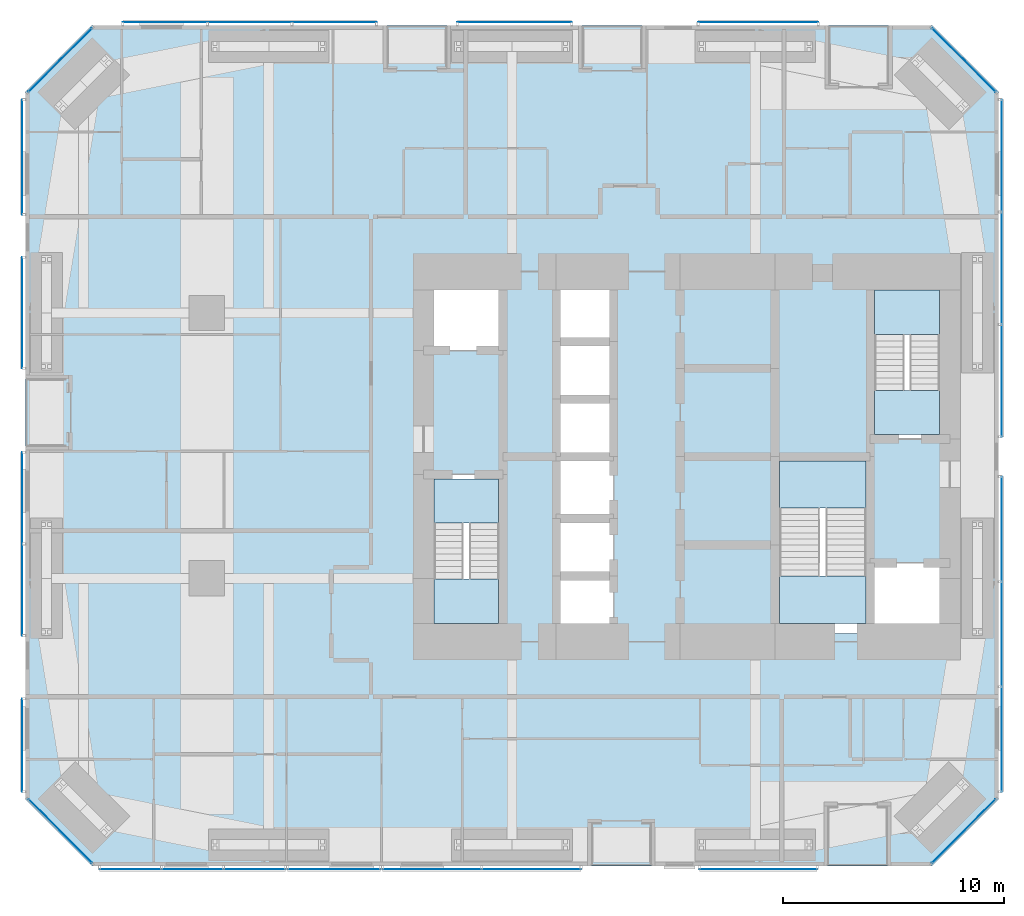
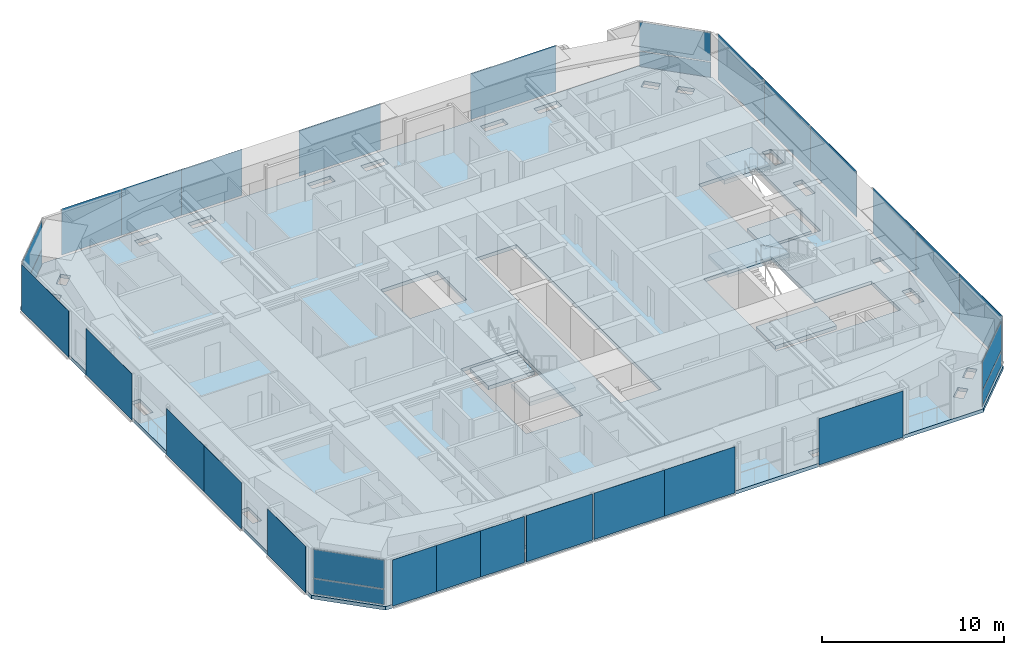
# One storey, part 16 of 24: 31 plates, 7 slabs, 20 elements without a shape of their own.
"""IFC4 building model written with IfcOpenShell, lengths in metres."""

from ifc_helpers import new_model, si_unit, direction, frame, origin, origin_2d, place, context, subcontext, project, spatial, polyline, rectangle, outline, extrude, material, layer, layer_set, type_object, element, aggregate, save


model = new_model("IFC4")

# Units and contexts
model_context = context("Model", 3, precision=1e-05, world=origin(), true_north=direction((0.0, 1.0)))
body_context = subcontext(model_context, "Body", "Model", "MODEL_VIEW")
ifc_project = project(units=[si_unit("LENGTHUNIT", "METRE"), si_unit("AREAUNIT", "SQUARE_METRE"), si_unit("VOLUMEUNIT", "CUBIC_METRE"), si_unit("PLANEANGLEUNIT", "RADIAN"), si_unit("MASSUNIT", "GRAM", prefix="KILO")], contexts=[model_context])

# Site, building, storey
site_placement = place(None, origin())
site = spatial("IfcSite", under=ifc_project, at=site_placement, CompositionType="ELEMENT")
building_placement = place(site_placement, origin())
building = spatial("IfcBuilding", under=site, at=building_placement, Name="Jalousie Tower", CompositionType="ELEMENT")
storey_placement = place(building_placement, frame((0.0, 0.0, 44.449951171875)))
storey = spatial("IfcBuildingStorey", under=building, at=storey_placement, Name="L11", CompositionType="ELEMENT", Elevation=44.449951171875)

# Curtain wall, plates
ifc_material_1 = material(Name="Aluminium curtain wall", Category="aluminium")
curtain_wall_type_1 = type_object("IfcCurtainWallType", Name="CORNER WINDOW WALL", PredefinedType="USERDEFINED", material=ifc_material_1)
curtain_wall_1_placement = place(storey_placement, origin())
curtain_wall_1 = element("IfcCurtainWall", 1, at=curtain_wall_1_placement, inside=storey, type_object=curtain_wall_type_1, Name="Corner Window Wall L11 2", ObjectType="CORNER WINDOW WALL", PredefinedType="USERDEFINED")
ifc_material_2 = material(Name="Laminated impact-rated spandrel glass", Category="glass")
ifc_layer_1 = layer(ifc_material_2, 0.028076171875)
ifc_layer_set_1 = layer_set([ifc_layer_1], Name="Laminated impact-rated spandrel glass")
plate_type_1 = type_object("IfcPlateType", Name="CORNER WINDOW WALL PANEL", PredefinedType="CURTAIN_PANEL", material=ifc_layer_set_1)
plate_1_placement = place(storey_placement, frame((44.4306640625, 1.5693359375, 0.06005859375), z_axis=(0.0, 0.0, 1.0), x_axis=(0.707106781187, 0.707106781187, 0.0)))
plate_1 = element("IfcPlate", 2, at=plate_1_placement, type_object=plate_type_1, Name="CW-C panel 1.1", PredefinedType="CURTAIN_PANEL", context=body_context, shape_type="SweptSolid", body=[
    extrude(rectangle(XDim=4.071533203125, YDim=0.028076171875, at=origin_2d()), origin(), (0.0, 0.0, 1.0), 1.010009765625),
])
plate_2_placement = place(storey_placement, frame((44.4306640625, 1.5693359375, 1.130126953125), z_axis=(0.0, 0.0, 1.0), x_axis=(0.707106781187, 0.707106781187, 0.0)))
plate_2 = element("IfcPlate", 3, at=plate_2_placement, type_object=plate_type_1, Name="CW-C panel 1.2", PredefinedType="CURTAIN_PANEL", context=body_context, shape_type="SweptSolid", body=[
    extrude(rectangle(XDim=4.071533203125, YDim=0.028076171875, at=origin_2d()), origin(), (0.0, 0.0, 1.0), 1.919921875),
])
aggregate(curtain_wall_1, [plate_1, plate_2])

curtain_wall_2_placement = place(storey_placement, origin())
curtain_wall_2 = element("IfcCurtainWall", 4, at=curtain_wall_2_placement, inside=storey, type_object=curtain_wall_type_1, Name="Corner Window Wall L11 4", ObjectType="CORNER WINDOW WALL", PredefinedType="USERDEFINED")
plate_3_placement = place(storey_placement, frame((44.4306640625, 36.4306640625, 0.06005859375), z_axis=(0.0, 0.0, 1.0), x_axis=(-0.707106781187, 0.707106781187, 0.0)))
plate_3 = element("IfcPlate", 5, at=plate_3_placement, type_object=plate_type_1, Name="CW-C panel 1.1", PredefinedType="CURTAIN_PANEL", context=body_context, shape_type="SweptSolid", body=[
    extrude(rectangle(XDim=4.071533203125, YDim=0.028076171875, at=origin_2d()), origin(), (0.0, 0.0, 1.0), 1.010009765625),
])
plate_4_placement = place(storey_placement, frame((44.4306640625, 36.4306640625, 1.130126953125), z_axis=(0.0, 0.0, 1.0), x_axis=(-0.707106781187, 0.707106781187, 0.0)))
plate_4 = element("IfcPlate", 6, at=plate_4_placement, type_object=plate_type_1, Name="CW-C panel 1.2", PredefinedType="CURTAIN_PANEL", context=body_context, shape_type="SweptSolid", body=[
    extrude(rectangle(XDim=4.071533203125, YDim=0.028076171875, at=origin_2d()), origin(), (0.0, 0.0, 1.0), 1.919921875),
])
aggregate(curtain_wall_2, [plate_3, plate_4])

curtain_wall_3_placement = place(storey_placement, origin())
curtain_wall_3 = element("IfcCurtainWall", 7, at=curtain_wall_3_placement, inside=storey, type_object=curtain_wall_type_1, Name="Corner Window Wall L11 6", ObjectType="CORNER WINDOW WALL", PredefinedType="USERDEFINED")
plate_5_placement = place(storey_placement, frame((3.5693359375, 36.4306640625, 0.06005859375), z_axis=(0.0, 0.0, 1.0), x_axis=(-0.707106781187, -0.707106781187, 0.0)))
plate_5 = element("IfcPlate", 8, at=plate_5_placement, type_object=plate_type_1, Name="CW-C panel 1.1", PredefinedType="CURTAIN_PANEL", context=body_context, shape_type="SweptSolid", body=[
    extrude(rectangle(XDim=4.071533203125, YDim=0.028076171875, at=origin_2d()), origin(), (0.0, 0.0, 1.0), 1.010009765625),
])
plate_6_placement = place(storey_placement, frame((3.5693359375, 36.4306640625, 1.130126953125), z_axis=(0.0, 0.0, 1.0), x_axis=(-0.707106781187, -0.707106781187, 0.0)))
plate_6 = element("IfcPlate", 9, at=plate_6_placement, type_object=plate_type_1, Name="CW-C panel 1.2", PredefinedType="CURTAIN_PANEL", context=body_context, shape_type="SweptSolid", body=[
    extrude(rectangle(XDim=4.071533203125, YDim=0.028076171875, at=origin_2d()), origin(), (0.0, 0.0, 1.0), 1.919921875),
])
aggregate(curtain_wall_3, [plate_5, plate_6])

curtain_wall_4_placement = place(storey_placement, origin())
curtain_wall_4 = element("IfcCurtainWall", 10, at=curtain_wall_4_placement, inside=storey, type_object=curtain_wall_type_1, Name="Corner Window Wall L11 8", ObjectType="CORNER WINDOW WALL", PredefinedType="USERDEFINED")
plate_7_placement = place(storey_placement, frame((3.5693359375, 1.5693359375, 0.06005859375), z_axis=(0.0, 0.0, 1.0), x_axis=(0.707106781187, -0.707106781187, 0.0)))
plate_7 = element("IfcPlate", 11, at=plate_7_placement, type_object=plate_type_1, Name="CW-C panel 1.1", PredefinedType="CURTAIN_PANEL", context=body_context, shape_type="SweptSolid", body=[
    extrude(rectangle(XDim=4.071533203125, YDim=0.028076171875, at=origin_2d()), origin(), (0.0, 0.0, 1.0), 1.010009765625),
])
plate_8_placement = place(storey_placement, frame((3.5693359375, 1.5693359375, 1.130126953125), z_axis=(0.0, 0.0, 1.0), x_axis=(0.707106781187, -0.707106781187, 0.0)))
plate_8 = element("IfcPlate", 12, at=plate_8_placement, type_object=plate_type_1, Name="CW-C panel 1.2", PredefinedType="CURTAIN_PANEL", context=body_context, shape_type="SweptSolid", body=[
    extrude(rectangle(XDim=4.071533203125, YDim=0.028076171875, at=origin_2d()), origin(), (0.0, 0.0, 1.0), 1.919921875),
])
aggregate(curtain_wall_4, [plate_7, plate_8])

# Slab
ifc_material_3 = material(Name="Concrete f'c 40 MPa", Category="concrete")
ifc_layer_2 = layer(ifc_material_3, 0.239990234375)
ifc_layer_set_2 = layer_set([ifc_layer_2], Name="Concrete f'c 40 MPa")
slab_type_1 = type_object("IfcSlabType", Name="FLOOR SLAB 240", PredefinedType="FLOOR", material=ifc_layer_set_2)
slab_1_placement = place(storey_placement, frame((0.0, 0.0, -0.239990234375)))
element("IfcSlab", 13, at=slab_1_placement, inside=storey, type_object=slab_type_1, Name="L11 floor slab", PredefinedType="FLOOR", context=body_context, shape_type="SweptSolid", body=[
    extrude(outline(polyline([(5.0, 0.0), (43.0, 0.0), (46.0, 3.0), (46.0, 35.0), (43.0, 38.0), (5.0, 38.0), (2.0, 35.0), (2.0, 3.0), (5.0, 0.0)]), holes=[polyline([(24.974609375, 0.663818359375), (24.974609375, 1.236083984375), (26.3642578125, 1.236083984375), (26.425048828125, 1.236083984375), (26.425048828125, 0.663818359375), (26.3642578125, 0.663818359375), (24.974609375, 0.663818359375)]), polyline([(23.025390625, 1.236083984375), (23.025390625, 0.663818359375), (21.6357421875, 0.663818359375), (21.574951171875, 0.663818359375), (21.574951171875, 1.236083984375), (21.6357421875, 1.236083984375), (23.025390625, 1.236083984375)]), polyline([(10.574951171875, 1.236083984375), (10.6357421875, 1.236083984375), (12.025390625, 1.236083984375), (12.025390625, 0.663818359375), (10.6357421875, 0.663818359375), (10.574951171875, 0.663818359375), (10.574951171875, 1.236083984375)]), polyline([(13.974609375, 1.236083984375), (15.3642578125, 1.236083984375), (15.425048828125, 1.236083984375), (15.425048828125, 0.663818359375), (15.3642578125, 0.663818359375), (13.974609375, 0.663818359375), (13.974609375, 1.236083984375)]), polyline([(5.454345703125, 1.40380859375), (5.373291015625, 1.484619140625), (4.78564453125, 2.072509765625), (5.1904296875, 2.47705078125), (5.859130859375, 1.808349609375), (5.454345703125, 1.40380859375)]), polyline([(4.072509765625, 2.78564453125), (3.40380859375, 3.454345703125), (3.808349609375, 3.859130859375), (3.889404296875, 3.778076171875), (4.47705078125, 3.1904296875), (4.072509765625, 2.78564453125)]), polyline([(3.236083984375, 10.574951171875), (2.663818359375, 10.574951171875), (2.663818359375, 10.6357421875), (2.663818359375, 12.025390625), (3.236083984375, 12.025390625), (3.236083984375, 10.6357421875), (3.236083984375, 10.574951171875)]), polyline([(26.0, 10.5), (26.0, 26.5), (28.60009765625, 26.5), (28.60009765625, 10.5), (26.0, 10.5)]), polyline([(20.0, 10.5), (23.60009765625, 10.5), (23.60009765625, 17.699951171875), (20.0, 17.699951171875), (20.0, 10.5)]), polyline([(3.236083984375, 15.3642578125), (3.236083984375, 13.974609375), (2.663818359375, 13.974609375), (2.663818359375, 15.3642578125), (2.663818359375, 15.425048828125), (3.236083984375, 15.425048828125), (3.236083984375, 15.3642578125)]), polyline([(2.663818359375, 24.025390625), (3.236083984375, 24.025390625), (3.236083984375, 22.6357421875), (3.236083984375, 22.574951171875), (2.663818359375, 22.574951171875), (2.663818359375, 22.6357421875), (2.663818359375, 24.025390625)]), polyline([(20.0, 23.300048828125), (23.60009765625, 23.300048828125), (23.60009765625, 26.5), (20.0, 26.5), (20.0, 23.300048828125)]), polyline([(3.236083984375, 25.974609375), (2.663818359375, 25.974609375), (2.663818359375, 27.3642578125), (2.663818359375, 27.425048828125), (3.236083984375, 27.425048828125), (3.236083984375, 27.3642578125), (3.236083984375, 25.974609375)]), polyline([(3.808349609375, 34.140869140625), (3.606201171875, 34.34326171875), (3.40380859375, 34.545654296875), (3.484619140625, 34.626708984375), (3.484619140625, 34.626708984375), (4.072509765625, 35.21435546875), (4.47705078125, 34.8095703125), (3.889404296875, 34.221923828125), (3.808349609375, 34.140869140625), (3.808349609375, 34.140869140625), (3.808349609375, 34.140869140625)]), polyline([(5.859130859375, 36.191650390625), (5.1904296875, 35.52294921875), (4.78564453125, 35.927490234375), (5.454345703125, 36.59619140625), (5.454345703125, 36.59619140625), (5.454345703125, 36.59619140625), (5.65673828125, 36.393798828125), (5.859130859375, 36.191650390625)]), polyline([(15.425048828125, 37.336181640625), (15.425048828125, 36.763916015625), (15.3642578125, 36.763916015625), (13.974609375, 36.763916015625), (13.974609375, 37.336181640625), (15.3642578125, 37.336181640625), (15.425048828125, 37.336181640625)]), polyline([(23.025390625, 36.763916015625), (21.6357421875, 36.763916015625), (21.574951171875, 36.763916015625), (21.574951171875, 37.336181640625), (21.6357421875, 37.336181640625), (23.025390625, 37.336181640625), (23.025390625, 36.763916015625)]), polyline([(10.574951171875, 36.763916015625), (10.574951171875, 37.336181640625), (10.6357421875, 37.336181640625), (12.025390625, 37.336181640625), (12.025390625, 36.763916015625), (10.6357421875, 36.763916015625), (10.574951171875, 36.763916015625)]), polyline([(24.974609375, 37.336181640625), (26.3642578125, 37.336181640625), (26.425048828125, 37.336181640625), (26.425048828125, 36.763916015625), (26.3642578125, 36.763916015625), (24.974609375, 36.763916015625), (24.974609375, 37.336181640625)]), polyline([(32.6357421875, 0.663818359375), (32.574951171875, 0.663818359375), (32.574951171875, 1.236083984375), (32.6357421875, 1.236083984375), (34.025390625, 1.236083984375), (34.025390625, 0.663818359375), (32.6357421875, 0.663818359375)]), polyline([(37.3642578125, 1.236083984375), (37.425048828125, 1.236083984375), (37.425048828125, 0.663818359375), (37.3642578125, 0.663818359375), (35.974609375, 0.663818359375), (35.974609375, 1.236083984375), (37.3642578125, 1.236083984375)]), polyline([(42.626708984375, 1.484619140625), (42.626708984375, 1.484619140625), (42.545654296875, 1.40380859375), (42.34326171875, 1.606201171875), (42.140869140625, 1.808349609375), (42.140869140625, 1.808349609375), (42.140869140625, 1.808349609375), (42.221923828125, 1.889404296875), (42.221923828125, 1.889404296875), (42.8095703125, 2.47705078125), (43.21435546875, 2.072509765625), (42.626708984375, 1.484619140625)]), polyline([(44.191650390625, 3.859130859375), (44.393798828125, 3.65673828125), (44.59619140625, 3.454345703125), (44.59619140625, 3.454345703125), (44.59619140625, 3.454345703125), (43.927490234375, 2.78564453125), (43.52294921875, 3.1904296875), (44.191650390625, 3.859130859375)]), polyline([(45.336181640625, 10.574951171875), (44.763916015625, 10.574951171875), (44.763916015625, 10.6357421875), (44.763916015625, 12.025390625), (45.336181640625, 12.025390625), (45.336181640625, 10.6357421875), (45.336181640625, 10.574951171875)]), polyline([(35.89990234375, 10.5), (35.89990234375, 18.5), (40.199951171875, 18.5), (40.199951171875, 13.699951171875), (43.800048828125, 13.699951171875), (43.800048828125, 10.5), (35.89990234375, 10.5)]), polyline([(45.336181640625, 13.974609375), (44.763916015625, 13.974609375), (44.763916015625, 15.3642578125), (44.763916015625, 15.425048828125), (45.336181640625, 15.425048828125), (45.336181640625, 15.3642578125), (45.336181640625, 13.974609375)]), polyline([(40.199951171875, 19.300048828125), (43.800048828125, 19.300048828125), (43.800048828125, 26.5), (40.199951171875, 26.5), (40.199951171875, 19.300048828125)]), polyline([(45.336181640625, 22.574951171875), (44.763916015625, 22.574951171875), (44.763916015625, 22.6357421875), (44.763916015625, 24.025390625), (45.336181640625, 24.025390625), (45.336181640625, 22.6357421875), (45.336181640625, 22.574951171875)]), polyline([(45.336181640625, 27.3642578125), (45.336181640625, 25.974609375), (44.763916015625, 25.974609375), (44.763916015625, 27.3642578125), (44.763916015625, 27.425048828125), (45.336181640625, 27.425048828125), (45.336181640625, 27.3642578125)]), polyline([(43.927490234375, 35.21435546875), (44.59619140625, 34.545654296875), (44.59619140625, 34.545654296875), (44.393798828125, 34.34326171875), (44.191650390625, 34.140869140625), (43.52294921875, 34.8095703125), (43.927490234375, 35.21435546875)]), polyline([(43.21435546875, 35.927490234375), (42.8095703125, 35.52294921875), (42.140869140625, 36.191650390625), (42.34326171875, 36.393798828125), (42.545654296875, 36.59619140625), (42.545654296875, 36.59619140625), (43.21435546875, 35.927490234375)]), polyline([(37.3642578125, 37.336181640625), (37.425048828125, 37.336181640625), (37.425048828125, 36.763916015625), (37.3642578125, 36.763916015625), (35.974609375, 36.763916015625), (35.974609375, 37.336181640625), (37.3642578125, 37.336181640625)]), polyline([(34.025390625, 37.336181640625), (34.025390625, 36.763916015625), (32.6357421875, 36.763916015625), (32.574951171875, 36.763916015625), (32.574951171875, 37.336181640625), (32.6357421875, 37.336181640625), (34.025390625, 37.336181640625)])]), origin(), (0.0, 0.0, 1.0), 0.239990234375),
])

# Curtain wall, plates
ifc_material_4 = material(Name="Perforated aluminium sheet", Category="aluminium")
curtain_wall_type_2 = type_object("IfcCurtainWallType", Name="SOLAR SCREEN SS-1", PredefinedType="USERDEFINED", material=ifc_material_4)
curtain_wall_5_placement = place(storey_placement, origin())
curtain_wall_5 = element("IfcCurtainWall", 14, at=curtain_wall_5_placement, inside=storey, type_object=curtain_wall_type_2, Name="Solar screen L11", ObjectType="SOLAR SCREEN SS-1", PredefinedType="USERDEFINED")
ifc_material_5 = material(Name="Perforated aluminium sheet", Category="aluminium")
ifc_layer_3 = layer(ifc_material_5, 0.006103515625)
ifc_layer_set_3 = layer_set([ifc_layer_3], Name="Perforated aluminium sheet")
plate_type_2 = type_object("IfcPlateType", Name="SOLAR SCREEN SS-1 PANEL", PredefinedType="CURTAIN_PANEL", material=ifc_layer_set_3)
plate_9_placement = place(storey_placement, frame((6.751220703125, -0.150390625, 0.0), z_axis=(0.0, 0.0, 1.0), x_axis=(1.0, 0.0, 0.0)))
plate_9 = element("IfcPlate", 15, at=plate_9_placement, type_object=plate_type_2, Name="SS1 perforated panel 1", PredefinedType="CURTAIN_PANEL", context=body_context, shape_type="SweptSolid", body=[
    extrude(rectangle(XDim=2.799560546875, YDim=0.006103515625, at=origin_2d()), origin(), (0.0, 0.0, 1.0), 3.110107421875),
])
plate_10_placement = place(storey_placement, frame((9.55078125, -0.150390625, 0.0), z_axis=(0.0, 0.0, 1.0), x_axis=(1.0, 0.0, 0.0)))
plate_10 = element("IfcPlate", 16, at=plate_10_placement, type_object=plate_type_2, Name="SS1 perforated panel 2", PredefinedType="CURTAIN_PANEL", context=body_context, shape_type="SweptSolid", body=[
    extrude(rectangle(XDim=2.799560546875, YDim=0.006103515625, at=origin_2d()), origin(), (0.0, 0.0, 1.0), 3.110107421875),
])
plate_11_placement = place(storey_placement, frame((12.35009765625, -0.150390625, 0.0), z_axis=(0.0, 0.0, 1.0), x_axis=(1.0, 0.0, 0.0)))
plate_11 = element("IfcPlate", 17, at=plate_11_placement, type_object=plate_type_2, Name="SS1 perforated panel 3", PredefinedType="CURTAIN_PANEL", context=body_context, shape_type="SweptSolid", body=[
    extrude(rectangle(XDim=2.799560546875, YDim=0.006103515625, at=origin_2d()), origin(), (0.0, 0.0, 1.0), 3.110107421875),
])
aggregate(curtain_wall_5, [plate_9, plate_10, plate_11])

# Curtain wall, plate
curtain_wall_6_placement = place(storey_placement, origin())
curtain_wall_6 = element("IfcCurtainWall", 18, at=curtain_wall_6_placement, inside=storey, type_object=curtain_wall_type_2, Name="Solar screen L11", ObjectType="SOLAR SCREEN SS-1", PredefinedType="USERDEFINED")
plate_12_placement = place(storey_placement, frame((15.949951171875, -0.150390625, 0.0), z_axis=(0.0, 0.0, 1.0), x_axis=(1.0, 0.0, 0.0)))
plate_12 = element("IfcPlate", 19, at=plate_12_placement, type_object=plate_type_2, Name="SS1 perforated panel 1", PredefinedType="CURTAIN_PANEL", context=body_context, shape_type="SweptSolid", body=[
    extrude(rectangle(XDim=4.199951171875, YDim=0.006103515625, at=origin_2d()), origin(), (0.0, 0.0, 1.0), 3.110107421875),
])
aggregate(curtain_wall_6, [plate_12])

# Curtain wall, plates
curtain_wall_7_placement = place(storey_placement, origin())
curtain_wall_7 = element("IfcCurtainWall", 20, at=curtain_wall_7_placement, inside=storey, type_object=curtain_wall_type_2, Name="Solar screen L11", ObjectType="SOLAR SCREEN SS-1", PredefinedType="USERDEFINED")
plate_13_placement = place(storey_placement, frame((20.393798828125, -0.150390625, 0.0), z_axis=(0.0, 0.0, 1.0), x_axis=(1.0, 0.0, 0.0)))
plate_13 = element("IfcPlate", 21, at=plate_13_placement, type_object=plate_type_2, Name="SS1 perforated panel 1", PredefinedType="CURTAIN_PANEL", context=body_context, shape_type="SweptSolid", body=[
    extrude(rectangle(XDim=4.487548828125, YDim=0.006103515625, at=origin_2d()), origin(), (0.0, 0.0, 1.0), 3.110107421875),
])
plate_14_placement = place(storey_placement, frame((24.88134765625, -0.150390625, 0.0), z_axis=(0.0, 0.0, 1.0), x_axis=(1.0, 0.0, 0.0)))
plate_14 = element("IfcPlate", 22, at=plate_14_placement, type_object=plate_type_2, Name="SS1 perforated panel 2", PredefinedType="CURTAIN_PANEL", context=body_context, shape_type="SweptSolid", body=[
    extrude(rectangle(XDim=4.487548828125, YDim=0.006103515625, at=origin_2d()), origin(), (0.0, 0.0, 1.0), 3.110107421875),
])
aggregate(curtain_wall_7, [plate_13, plate_14])

# Curtain wall, plate
curtain_wall_8_placement = place(storey_placement, origin())
curtain_wall_8 = element("IfcCurtainWall", 23, at=curtain_wall_8_placement, inside=storey, type_object=curtain_wall_type_2, Name="Solar screen L11", ObjectType="SOLAR SCREEN SS-1", PredefinedType="USERDEFINED")
plate_15_placement = place(storey_placement, frame((35.1337890625, -0.150390625, 0.0), z_axis=(0.0, 0.0, 1.0), x_axis=(1.0, 0.0, 0.0)))
plate_15 = element("IfcPlate", 24, at=plate_15_placement, type_object=plate_type_2, Name="SS1 perforated panel 1", PredefinedType="CURTAIN_PANEL", context=body_context, shape_type="SweptSolid", body=[
    extrude(rectangle(XDim=5.332275390625, YDim=0.006103515625, at=origin_2d()), origin(), (0.0, 0.0, 1.0), 3.110107421875),
])
aggregate(curtain_wall_8, [plate_15])

# Curtain wall, plates
curtain_wall_9_placement = place(storey_placement, origin())
curtain_wall_9 = element("IfcCurtainWall", 25, at=curtain_wall_9_placement, inside=storey, type_object=curtain_wall_type_2, Name="Solar screen L11", ObjectType="SOLAR SCREEN SS-1", PredefinedType="USERDEFINED")
plate_16_placement = place(storey_placement, frame((46.150390625, 5.72607421875, 0.0), z_axis=(0.0, 0.0, 1.0), x_axis=(0.0, 1.0, 0.0)))
plate_16 = element("IfcPlate", 26, at=plate_16_placement, type_object=plate_type_2, Name="SS1 perforated panel 1", PredefinedType="CURTAIN_PANEL", context=body_context, shape_type="SweptSolid", body=[
    extrude(rectangle(XDim=4.74951171875, YDim=0.006103515625, at=origin_2d()), origin(), (0.0, 0.0, 1.0), 3.110107421875),
])
plate_17_placement = place(storey_placement, frame((46.150390625, 10.4755859375, 0.0), z_axis=(0.0, 0.0, 1.0), x_axis=(0.0, 1.0, 0.0)))
plate_17 = element("IfcPlate", 27, at=plate_17_placement, type_object=plate_type_2, Name="SS1 perforated panel 2", PredefinedType="CURTAIN_PANEL", context=body_context, shape_type="SweptSolid", body=[
    extrude(rectangle(XDim=4.74951171875, YDim=0.006103515625, at=origin_2d()), origin(), (0.0, 0.0, 1.0), 3.110107421875),
])
plate_18_placement = place(storey_placement, frame((46.150390625, 15.22509765625, 0.0), z_axis=(0.0, 0.0, 1.0), x_axis=(0.0, 1.0, 0.0)))
plate_18 = element("IfcPlate", 28, at=plate_18_placement, type_object=plate_type_2, Name="SS1 perforated panel 3", PredefinedType="CURTAIN_PANEL", context=body_context, shape_type="SweptSolid", body=[
    extrude(rectangle(XDim=4.74951171875, YDim=0.006103515625, at=origin_2d()), origin(), (0.0, 0.0, 1.0), 3.110107421875),
])
aggregate(curtain_wall_9, [plate_16, plate_17, plate_18])

curtain_wall_10_placement = place(storey_placement, origin())
curtain_wall_10 = element("IfcCurtainWall", 29, at=curtain_wall_10_placement, inside=storey, type_object=curtain_wall_type_2, Name="Solar screen L11", ObjectType="SOLAR SCREEN SS-1", PredefinedType="USERDEFINED")
plate_19_placement = place(storey_placement, frame((46.150390625, 21.94140625, 0.0), z_axis=(0.0, 0.0, 1.0), x_axis=(0.0, 1.0, 0.0)))
plate_19 = element("IfcPlate", 30, at=plate_19_placement, type_object=plate_type_2, Name="SS1 perforated panel 1", PredefinedType="CURTAIN_PANEL", context=body_context, shape_type="SweptSolid", body=[
    extrude(rectangle(XDim=5.0830078125, YDim=0.006103515625, at=origin_2d()), origin(), (0.0, 0.0, 1.0), 3.110107421875),
])
plate_20_placement = place(storey_placement, frame((46.150390625, 27.0244140625, 0.0), z_axis=(0.0, 0.0, 1.0), x_axis=(0.0, 1.0, 0.0)))
plate_20 = element("IfcPlate", 31, at=plate_20_placement, type_object=plate_type_2, Name="SS1 perforated panel 2", PredefinedType="CURTAIN_PANEL", context=body_context, shape_type="SweptSolid", body=[
    extrude(rectangle(XDim=5.0830078125, YDim=0.006103515625, at=origin_2d()), origin(), (0.0, 0.0, 1.0), 3.110107421875),
])
plate_21_placement = place(storey_placement, frame((46.150390625, 32.107177734375, 0.0), z_axis=(0.0, 0.0, 1.0), x_axis=(0.0, 1.0, 0.0)))
plate_21 = element("IfcPlate", 32, at=plate_21_placement, type_object=plate_type_2, Name="SS1 perforated panel 3", PredefinedType="CURTAIN_PANEL", context=body_context, shape_type="SweptSolid", body=[
    extrude(rectangle(XDim=5.0830078125, YDim=0.006103515625, at=origin_2d()), origin(), (0.0, 0.0, 1.0), 3.110107421875),
])
aggregate(curtain_wall_10, [plate_19, plate_20, plate_21])

# Curtain wall, plate
curtain_wall_11_placement = place(storey_placement, origin())
curtain_wall_11 = element("IfcCurtainWall", 33, at=curtain_wall_11_placement, inside=storey, type_object=curtain_wall_type_2, Name="Solar screen L11", ObjectType="SOLAR SCREEN SS-1", PredefinedType="USERDEFINED")
plate_22_placement = place(storey_placement, frame((35.1318359375, 38.150390625, 0.0), z_axis=(0.0, 0.0, 1.0), x_axis=(-1.0, 0.0, 0.0)))
plate_22 = element("IfcPlate", 34, at=plate_22_placement, type_object=plate_type_2, Name="SS1 perforated panel 1", PredefinedType="CURTAIN_PANEL", context=body_context, shape_type="SweptSolid", body=[
    extrude(rectangle(XDim=5.43359375, YDim=0.006103515625, at=origin_2d()), origin(), (0.0, 0.0, 1.0), 3.110107421875),
])
aggregate(curtain_wall_11, [plate_22])

curtain_wall_12_placement = place(storey_placement, origin())
curtain_wall_12 = element("IfcCurtainWall", 35, at=curtain_wall_12_placement, inside=storey, type_object=curtain_wall_type_2, Name="Solar screen L11", ObjectType="SOLAR SCREEN SS-1", PredefinedType="USERDEFINED")
plate_23_placement = place(storey_placement, frame((24.112548828125, 38.150390625, 0.0), z_axis=(0.0, 0.0, 1.0), x_axis=(-1.0, 0.0, 0.0)))
plate_23 = element("IfcPlate", 36, at=plate_23_placement, type_object=plate_type_2, Name="SS1 perforated panel 1", PredefinedType="CURTAIN_PANEL", context=body_context, shape_type="SweptSolid", body=[
    extrude(rectangle(XDim=5.175048828125, YDim=0.006103515625, at=origin_2d()), origin(), (0.0, 0.0, 1.0), 3.110107421875),
])
aggregate(curtain_wall_12, [plate_23])

# Curtain wall, plates
curtain_wall_13_placement = place(storey_placement, origin())
curtain_wall_13 = element("IfcCurtainWall", 37, at=curtain_wall_13_placement, inside=storey, type_object=curtain_wall_type_2, Name="Solar screen L11", ObjectType="SOLAR SCREEN SS-1", PredefinedType="USERDEFINED")
plate_24_placement = place(storey_placement, frame((15.96240234375, 38.150390625, 0.0), z_axis=(0.0, 0.0, 1.0), x_axis=(-1.0, 0.0, 0.0)))
plate_24 = element("IfcPlate", 38, at=plate_24_placement, type_object=plate_type_2, Name="SS1 perforated panel 1", PredefinedType="CURTAIN_PANEL", context=body_context, shape_type="SweptSolid", body=[
    extrude(rectangle(XDim=3.824951171875, YDim=0.006103515625, at=origin_2d()), origin(), (0.0, 0.0, 1.0), 3.110107421875),
])
plate_25_placement = place(storey_placement, frame((12.137451171875, 38.150390625, 0.0), z_axis=(0.0, 0.0, 1.0), x_axis=(-1.0, 0.0, 0.0)))
plate_25 = element("IfcPlate", 39, at=plate_25_placement, type_object=plate_type_2, Name="SS1 perforated panel 2", PredefinedType="CURTAIN_PANEL", context=body_context, shape_type="SweptSolid", body=[
    extrude(rectangle(XDim=3.824951171875, YDim=0.006103515625, at=origin_2d()), origin(), (0.0, 0.0, 1.0), 3.110107421875),
])
plate_26_placement = place(storey_placement, frame((8.3125, 38.150390625, 0.0), z_axis=(0.0, 0.0, 1.0), x_axis=(-1.0, 0.0, 0.0)))
plate_26 = element("IfcPlate", 40, at=plate_26_placement, type_object=plate_type_2, Name="SS1 perforated panel 3", PredefinedType="CURTAIN_PANEL", context=body_context, shape_type="SweptSolid", body=[
    extrude(rectangle(XDim=3.824951171875, YDim=0.006103515625, at=origin_2d()), origin(), (0.0, 0.0, 1.0), 3.110107421875),
])
aggregate(curtain_wall_13, [plate_24, plate_25, plate_26])

# Curtain wall, plate
curtain_wall_14_placement = place(storey_placement, origin())
curtain_wall_14 = element("IfcCurtainWall", 41, at=curtain_wall_14_placement, inside=storey, type_object=curtain_wall_type_2, Name="Solar screen L11", ObjectType="SOLAR SCREEN SS-1", PredefinedType="USERDEFINED")
plate_27_placement = place(storey_placement, frame((1.849609375, 32.04931640625, 0.0), z_axis=(0.0, 0.0, 1.0), x_axis=(0.0, -1.0, 0.0)))
plate_27 = element("IfcPlate", 42, at=plate_27_placement, type_object=plate_type_2, Name="SS1 perforated panel 1", PredefinedType="CURTAIN_PANEL", context=body_context, shape_type="SweptSolid", body=[
    extrude(rectangle(XDim=5.19873046875, YDim=0.006103515625, at=origin_2d()), origin(), (0.0, 0.0, 1.0), 3.110107421875),
])
aggregate(curtain_wall_14, [plate_27])

curtain_wall_15_placement = place(storey_placement, origin())
curtain_wall_15 = element("IfcCurtainWall", 43, at=curtain_wall_15_placement, inside=storey, type_object=curtain_wall_type_2, Name="Solar screen L11", ObjectType="SOLAR SCREEN SS-1", PredefinedType="USERDEFINED")
plate_28_placement = place(storey_placement, frame((1.849609375, 25.012451171875, 0.0), z_axis=(0.0, 0.0, 1.0), x_axis=(0.0, -1.0, 0.0)))
plate_28 = element("IfcPlate", 44, at=plate_28_placement, type_object=plate_type_2, Name="SS1 perforated panel 1", PredefinedType="CURTAIN_PANEL", context=body_context, shape_type="SweptSolid", body=[
    extrude(rectangle(XDim=5.02490234375, YDim=0.006103515625, at=origin_2d()), origin(), (0.0, 0.0, 1.0), 3.110107421875),
])
aggregate(curtain_wall_15, [plate_28])

# Curtain wall, plates
curtain_wall_16_placement = place(storey_placement, origin())
curtain_wall_16 = element("IfcCurtainWall", 45, at=curtain_wall_16_placement, inside=storey, type_object=curtain_wall_type_2, Name="Solar screen L11", ObjectType="SOLAR SCREEN SS-1", PredefinedType="USERDEFINED")
plate_29_placement = place(storey_placement, frame((1.849609375, 16.62744140625, 0.0), z_axis=(0.0, 0.0, 1.0), x_axis=(0.0, -1.0, 0.0)))
plate_29 = element("IfcPlate", 46, at=plate_29_placement, type_object=plate_type_2, Name="SS1 perforated panel 1", PredefinedType="CURTAIN_PANEL", context=body_context, shape_type="SweptSolid", body=[
    extrude(rectangle(XDim=4.14501953125, YDim=0.006103515625, at=origin_2d()), origin(), (0.0, 0.0, 1.0), 3.110107421875),
])
plate_30_placement = place(storey_placement, frame((1.849609375, 12.482421875, 0.0), z_axis=(0.0, 0.0, 1.0), x_axis=(0.0, -1.0, 0.0)))
plate_30 = element("IfcPlate", 47, at=plate_30_placement, type_object=plate_type_2, Name="SS1 perforated panel 2", PredefinedType="CURTAIN_PANEL", context=body_context, shape_type="SweptSolid", body=[
    extrude(rectangle(XDim=4.14501953125, YDim=0.006103515625, at=origin_2d()), origin(), (0.0, 0.0, 1.0), 3.110107421875),
])
aggregate(curtain_wall_16, [plate_29, plate_30])

# Curtain wall, plate
curtain_wall_17_placement = place(storey_placement, origin())
curtain_wall_17 = element("IfcCurtainWall", 48, at=curtain_wall_17_placement, inside=storey, type_object=curtain_wall_type_2, Name="Solar screen L11", ObjectType="SOLAR SCREEN SS-1", PredefinedType="USERDEFINED")
plate_31_placement = place(storey_placement, frame((1.849609375, 5.45068359375, 0.0), z_axis=(0.0, 0.0, 1.0), x_axis=(0.0, -1.0, 0.0)))
plate_31 = element("IfcPlate", 49, at=plate_31_placement, type_object=plate_type_2, Name="SS1 perforated panel 1", PredefinedType="CURTAIN_PANEL", context=body_context, shape_type="SweptSolid", body=[
    extrude(rectangle(XDim=4.19873046875, YDim=0.006103515625, at=origin_2d()), origin(), (0.0, 0.0, 1.0), 3.110107421875),
])
aggregate(curtain_wall_17, [plate_31])

# Stair, slabs
ifc_material_6 = material(Name="Concrete f'c 40 MPa", Category="concrete")
stair_type = type_object("IfcStairType", Name="EXIT STAIR", PredefinedType="HALF_TURN_STAIR", material=ifc_material_6)
stair_1_placement = place(storey_placement, origin())
stair_1 = element("IfcStair", 50, at=stair_1_placement, inside=storey, type_object=stair_type, Name="Exit stair A L11", PredefinedType="HALF_TURN_STAIR")
ifc_material_7 = material(Name="Concrete f'c 40 MPa", Category="concrete")
ifc_layer_4 = layer(ifc_material_7, 0.25)
ifc_layer_set_4 = layer_set([ifc_layer_4], Name="Concrete f'c 40 MPa")
slab_type_2 = type_object("IfcSlabType", Name="STAIR LANDING 250", PredefinedType="LANDING", material=ifc_layer_set_4)
slab_2_placement = place(storey_placement, frame((0.0, 0.0, -0.25)))
slab_2 = element("IfcSlab", 51, at=slab_2_placement, type_object=slab_type_2, Name="ST-A landing 1", PredefinedType="LANDING", context=body_context, shape_type="SweptSolid", body=[
    extrude(outline(polyline([(20.47509765625, 15.49755859375), (23.39990234375, 15.49755859375), (23.39990234375, 17.5), (20.47509765625, 17.5), (20.47509765625, 15.49755859375)])), origin(), (0.0, 0.0, 1.0), 0.25),
])
slab_3_placement = place(storey_placement, frame((0.0, 0.0, 1.425048828125)))
slab_3 = element("IfcSlab", 52, at=slab_3_placement, type_object=slab_type_2, Name="ST-A landing 2", PredefinedType="LANDING", context=body_context, shape_type="SweptSolid", body=[
    extrude(outline(polyline([(20.47509765625, 10.949951171875), (23.39990234375, 10.949951171875), (23.39990234375, 12.9775390625), (20.47509765625, 12.9775390625), (20.47509765625, 10.949951171875)])), origin(), (0.0, 0.0, 1.0), 0.25),
])
aggregate(stair_1, [slab_2, slab_3])

stair_2_placement = place(storey_placement, origin())
stair_2 = element("IfcStair", 53, at=stair_2_placement, inside=storey, type_object=stair_type, Name="Exit stair B L11", PredefinedType="HALF_TURN_STAIR")
slab_4_placement = place(storey_placement, frame((0.0, 0.0, -0.25)))
slab_4 = element("IfcSlab", 54, at=slab_4_placement, type_object=slab_type_2, Name="ST-B landing 1", PredefinedType="LANDING", context=body_context, shape_type="SweptSolid", body=[
    extrude(outline(polyline([(40.39990234375, 19.5), (43.324951171875, 19.5), (43.324951171875, 21.50244140625), (40.39990234375, 21.50244140625), (40.39990234375, 19.5)])), origin(), (0.0, 0.0, 1.0), 0.25),
])
slab_5_placement = place(storey_placement, frame((0.0, 0.0, 1.425048828125)))
slab_5 = element("IfcSlab", 55, at=slab_5_placement, type_object=slab_type_2, Name="ST-B landing 2", PredefinedType="LANDING", context=body_context, shape_type="SweptSolid", body=[
    extrude(outline(polyline([(40.39990234375, 24.0224609375), (43.324951171875, 24.0224609375), (43.324951171875, 26.050048828125), (40.39990234375, 26.050048828125), (40.39990234375, 24.0224609375)])), origin(), (0.0, 0.0, 1.0), 0.25),
])
aggregate(stair_2, [slab_4, slab_5])

stair_3_placement = place(storey_placement, origin())
stair_3 = element("IfcStair", 56, at=stair_3_placement, inside=storey, type_object=stair_type, Name="Exit stair C L11", PredefinedType="HALF_TURN_STAIR")
slab_6_placement = place(storey_placement, frame((0.0, 0.0, -0.25)))
slab_6 = element("IfcSlab", 57, at=slab_6_placement, type_object=slab_type_2, Name="ST-C landing 1", PredefinedType="LANDING", context=body_context, shape_type="SweptSolid", body=[
    extrude(outline(polyline([(36.10009765625, 10.949951171875), (40.0, 10.949951171875), (40.0, 13.097412109375), (36.10009765625, 13.097412109375), (36.10009765625, 10.949951171875)])), origin(), (0.0, 0.0, 1.0), 0.25),
])
slab_7_placement = place(storey_placement, frame((0.0, 0.0, 1.425048828125)))
slab_7 = element("IfcSlab", 58, at=slab_7_placement, type_object=slab_type_2, Name="ST-C landing 2", PredefinedType="LANDING", context=body_context, shape_type="SweptSolid", body=[
    extrude(outline(polyline([(36.10009765625, 16.177490234375), (40.0, 16.177490234375), (40.0, 18.300048828125), (36.10009765625, 18.300048828125), (36.10009765625, 16.177490234375)])), origin(), (0.0, 0.0, 1.0), 0.25),
])
aggregate(stair_3, [slab_6, slab_7])

save(model, "model.ifc")
